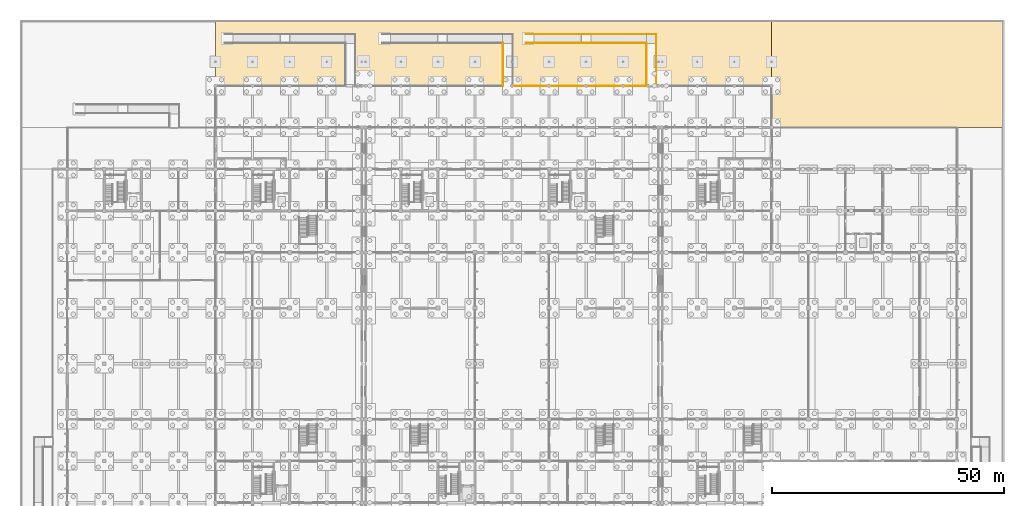
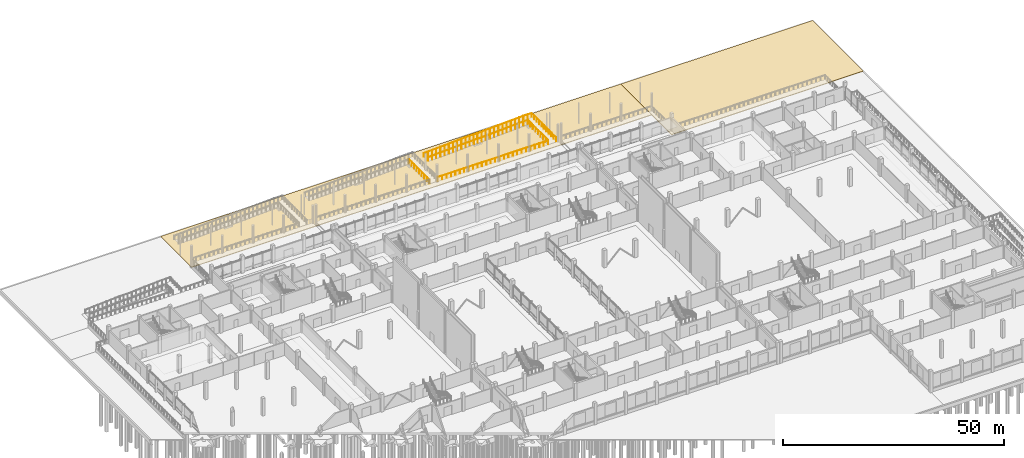
# One storey, part 71 of 72: 5 railings, 2 coverings.
"""IFC4 building model written with IfcOpenShell, lengths in metres."""

from ifc_helpers import new_model, si_unit, direction, frame, origin, origin_2d, place, context, subcontext, project, spatial, polyline, circle, outline, extrude, material, layer, layer_set, type_object, element, save


model = new_model("IFC4")

# Units and contexts
model_context = context("Model", 3, precision=1e-05, world=origin(), true_north=direction((0.0, 1.0)))
body_context = subcontext(model_context, "Body", "Model", "MODEL_VIEW")
ifc_project = project(units=[si_unit("LENGTHUNIT", "METRE"), si_unit("AREAUNIT", "SQUARE_METRE"), si_unit("VOLUMEUNIT", "CUBIC_METRE"), si_unit("PLANEANGLEUNIT", "RADIAN"), si_unit("MASSUNIT", "GRAM", prefix="KILO"), si_unit("THERMODYNAMICTEMPERATUREUNIT", "KELVIN"), si_unit("POWERUNIT", "WATT")], contexts=[model_context])

# Site, building, storey
site_placement = place(None, origin())
site = spatial("IfcSite", under=ifc_project, at=site_placement, CompositionType="ELEMENT")
building_placement = place(site_placement, origin())
building = spatial("IfcBuilding", under=site, at=building_placement, Name="Kronsvod Quay Wholesale Market", CompositionType="ELEMENT")
storey_placement = place(building_placement, origin())
storey = spatial("IfcBuildingStorey", under=building, at=storey_placement, Name="L00", CompositionType="ELEMENT", Elevation=0.0)

# Coverings
ifc_material_1 = material(Name="Natural granite harbour quay paving", Category="masonry")
ifc_layer = layer(ifc_material_1, 0.179931640625)
ifc_layer_set = layer_set([ifc_layer], Name="Natural granite harbour quay paving")
covering_type = type_object("IfcCoveringType", Name="Cov_SitePaving160", PredefinedType="USERDEFINED", material=ifc_layer_set)
covering_1_placement = place(storey_placement, frame((0.0, 0.0, -1.3798828125)))
element("IfcCovering", 1, at=covering_1_placement, inside=storey, type_object=covering_type, Name="PAV-APR-N2", ObjectType="PAVING", PredefinedType="USERDEFINED", context=body_context, shape_type="SweptSolid", body=[
    extrude(outline(polyline([(32.0, 126.0), (152.0, 126.0), (152.0, 140.0), (32.0, 140.0), (32.0, 126.0)])), origin(), (0.0, 0.0, 1.0), 0.179931640625),
])
covering_2_placement = place(storey_placement, frame((0.0, 0.0, -1.3798828125)))
element("IfcCovering", 2, at=covering_2_placement, inside=storey, type_object=covering_type, Name="PAV-APR-N3", ObjectType="PAVING", PredefinedType="USERDEFINED", context=body_context, shape_type="SweptSolid", body=[
    extrude(outline(polyline([(152.0, 117.0), (202.0, 117.0), (202.0, 140.0), (152.0, 140.0), (152.0, 117.0)])), origin(), (0.0, 0.0, 1.0), 0.179931640625),
])

# Railings
ifc_material_2 = material(Name="Stainless steel", Category="steel")
railing_type = type_object("IfcRailingType", Name="Railing_Guard1200", PredefinedType="GUARDRAIL", material=ifc_material_2)
railing_1_placement = place(storey_placement, frame((99.0, 137.14990234375, -1.199951171875)))
element("IfcRailing", 3, at=railing_1_placement, inside=storey, type_object=railing_type, Name="RMP-N03-GRD1", PredefinedType="GUARDRAIL", context=body_context, shape_type="SweptSolid", body=[
    extrude(circle(Radius=0.02392578125, at=origin_2d()), frame((0.0, 0.0, 1.17578125), z_axis=(0.998752946874, 0.0, 0.049925455535), x_axis=(0.0, 1.0, 0.0)), (0.0, 0.0, 1.0), 12.014892578125),
    extrude(circle(Radius=0.02392578125, at=origin_2d()), frame((12.0, 0.0, 1.77587890625), z_axis=(1.0, 0.0, 0.0), x_axis=(0.0, 1.0, 0.0)), (0.0, 0.0, 1.0), 2.0),
    extrude(circle(Radius=0.02392578125, at=origin_2d()), frame((14.0, 0.0, 1.77587890625), z_axis=(0.998751933465, 0.0, 0.049945724537), x_axis=(0.0, 1.0, 0.0)), (0.0, 0.0, 1.0), 12.014892578125),
    extrude(circle(Radius=0.02392578125, at=origin_2d()), frame((26.0, 0.0, 2.3759765625), z_axis=(1.0, 0.0, 0.0), x_axis=(0.0, 1.0, 0.0)), (0.0, 0.0, 1.0), 2.14990234375),
    extrude(circle(Radius=0.02392578125, at=origin_2d()), frame((28.14990234375, 0.0, 2.3759765625), z_axis=(0.0, -1.0, 0.0), x_axis=(1.0, 0.0, 0.0)), (0.0, 0.0, 1.0), 11.099853515625),
    extrude(circle(Radius=0.02099609375, at=origin_2d()), origin(), (0.0, 0.0, 1.0), 1.15185546875),
    extrude(circle(Radius=0.02099609375, at=origin_2d()), frame((1.0908203125, 0.0, 0.054443359375)), (0.0, 0.0, 1.0), 1.15185546875),
    extrude(circle(Radius=0.02099609375, at=origin_2d()), frame((2.181884765625, 0.0, 0.109130859375)), (0.0, 0.0, 1.0), 1.15185546875),
    extrude(circle(Radius=0.02099609375, at=origin_2d()), frame((3.272705078125, 0.0, 0.16357421875)), (0.0, 0.0, 1.0), 1.15185546875),
    extrude(circle(Radius=0.02099609375, at=origin_2d()), frame((4.363525390625, 0.0, 0.218017578125)), (0.0, 0.0, 1.0), 1.15185546875),
    extrude(circle(Radius=0.02099609375, at=origin_2d()), frame((5.45458984375, 0.0, 0.272705078125)), (0.0, 0.0, 1.0), 1.15185546875),
    extrude(circle(Radius=0.02099609375, at=origin_2d()), frame((6.54541015625, 0.0, 0.3271484375)), (0.0, 0.0, 1.0), 1.15185546875),
    extrude(circle(Radius=0.02099609375, at=origin_2d()), frame((7.636474609375, 0.0, 0.3818359375)), (0.0, 0.0, 1.0), 1.15185546875),
    extrude(circle(Radius=0.02099609375, at=origin_2d()), frame((8.727294921875, 0.0, 0.436279296875)), (0.0, 0.0, 1.0), 1.15185546875),
    extrude(circle(Radius=0.02099609375, at=origin_2d()), frame((9.818115234375, 0.0, 0.49072265625)), (0.0, 0.0, 1.0), 1.15185546875),
    extrude(circle(Radius=0.02099609375, at=origin_2d()), frame((10.9091796875, 0.0, 0.54541015625)), (0.0, 0.0, 1.0), 1.15185546875),
    extrude(circle(Radius=0.02099609375, at=origin_2d()), frame((12.0, 0.0, 0.599853515625)), (0.0, 0.0, 1.0), 1.15185546875),
    extrude(circle(Radius=0.02099609375, at=origin_2d()), frame((13.0, 0.0, 0.599853515625)), (0.0, 0.0, 1.0), 1.15185546875),
    extrude(circle(Radius=0.02099609375, at=origin_2d()), frame((14.0, 0.0, 0.599853515625)), (0.0, 0.0, 1.0), 1.15185546875),
    extrude(circle(Radius=0.02099609375, at=origin_2d()), frame((15.0908203125, 0.0, 0.654296875)), (0.0, 0.0, 1.0), 1.15185546875),
    extrude(circle(Radius=0.02099609375, at=origin_2d()), frame((16.181884765625, 0.0, 0.708984375)), (0.0, 0.0, 1.0), 1.15185546875),
    extrude(circle(Radius=0.02099609375, at=origin_2d()), frame((17.272705078125, 0.0, 0.763427734375)), (0.0, 0.0, 1.0), 1.15185546875),
    extrude(circle(Radius=0.02099609375, at=origin_2d()), frame((18.363525390625, 0.0, 0.818115234375)), (0.0, 0.0, 1.0), 1.15185546875),
    extrude(circle(Radius=0.02099609375, at=origin_2d()), frame((19.45458984375, 0.0, 0.87255859375)), (0.0, 0.0, 1.0), 1.15185546875),
    extrude(circle(Radius=0.02099609375, at=origin_2d()), frame((20.54541015625, 0.0, 0.92724609375)), (0.0, 0.0, 1.0), 1.15185546875),
    extrude(circle(Radius=0.02099609375, at=origin_2d()), frame((21.636474609375, 0.0, 0.981689453125)), (0.0, 0.0, 1.0), 1.15185546875),
    extrude(circle(Radius=0.02099609375, at=origin_2d()), frame((22.727294921875, 0.0, 1.036376953125)), (0.0, 0.0, 1.0), 1.15185546875),
    extrude(circle(Radius=0.02099609375, at=origin_2d()), frame((23.818115234375, 0.0, 1.0908203125)), (0.0, 0.0, 1.0), 1.15185546875),
    extrude(circle(Radius=0.02099609375, at=origin_2d()), frame((24.9091796875, 0.0, 1.1455078125)), (0.0, 0.0, 1.0), 1.15185546875),
    extrude(circle(Radius=0.02099609375, at=origin_2d()), frame((26.0, 0.0, 1.199951171875)), (0.0, 0.0, 1.0), 1.15185546875),
    extrude(circle(Radius=0.02099609375, at=origin_2d()), frame((27.074951171875, 0.0, 1.199951171875)), (0.0, 0.0, 1.0), 1.15185546875),
    extrude(circle(Radius=0.02099609375, at=origin_2d()), frame((28.14990234375, 0.0, 1.199951171875)), (0.0, 0.0, 1.0), 1.15185546875),
    extrude(circle(Radius=0.02099609375, at=origin_2d()), frame((28.14990234375, -1.10986328125, 1.199951171875)), (0.0, 0.0, 1.0), 1.15185546875),
    extrude(circle(Radius=0.02099609375, at=origin_2d()), frame((28.14990234375, -2.219970703125, 1.199951171875)), (0.0, 0.0, 1.0), 1.15185546875),
    extrude(circle(Radius=0.02099609375, at=origin_2d()), frame((28.14990234375, -3.330078125, 1.199951171875)), (0.0, 0.0, 1.0), 1.15185546875),
    extrude(circle(Radius=0.02099609375, at=origin_2d()), frame((28.14990234375, -4.43994140625, 1.199951171875)), (0.0, 0.0, 1.0), 1.15185546875),
    extrude(circle(Radius=0.02099609375, at=origin_2d()), frame((28.14990234375, -5.5498046875, 1.199951171875)), (0.0, 0.0, 1.0), 1.15185546875),
    extrude(circle(Radius=0.02099609375, at=origin_2d()), frame((28.14990234375, -6.659912109375, 1.199951171875)), (0.0, 0.0, 1.0), 1.15185546875),
    extrude(circle(Radius=0.02099609375, at=origin_2d()), frame((28.14990234375, -7.769775390625, 1.199951171875)), (0.0, 0.0, 1.0), 1.15185546875),
    extrude(circle(Radius=0.02099609375, at=origin_2d()), frame((28.14990234375, -8.8798828125, 1.199951171875)), (0.0, 0.0, 1.0), 1.15185546875),
    extrude(circle(Radius=0.02099609375, at=origin_2d()), frame((28.14990234375, -9.98974609375, 1.199951171875)), (0.0, 0.0, 1.0), 1.15185546875),
    extrude(circle(Radius=0.02099609375, at=origin_2d()), frame((28.14990234375, -11.099853515625, 1.199951171875)), (0.0, 0.0, 1.0), 1.15185546875),
])
railing_2_placement = place(storey_placement, frame((99.0, 135.25, -1.199951171875)))
element("IfcRailing", 4, at=railing_2_placement, inside=storey, type_object=railing_type, Name="RMP-N03-GRD2", PredefinedType="GUARDRAIL", context=body_context, shape_type="SweptSolid", body=[
    extrude(circle(Radius=0.02392578125, at=origin_2d()), frame((0.0, 0.0, 1.17578125), z_axis=(0.998752946874, 0.0, 0.049925455535), x_axis=(0.0, 1.0, 0.0)), (0.0, 0.0, 1.0), 12.014892578125),
    extrude(circle(Radius=0.02392578125, at=origin_2d()), frame((12.0, 0.0, 1.77587890625), z_axis=(1.0, 0.0, 0.0), x_axis=(0.0, 1.0, 0.0)), (0.0, 0.0, 1.0), 2.0),
    extrude(circle(Radius=0.02392578125, at=origin_2d()), frame((14.0, 0.0, 1.77587890625), z_axis=(0.998751933465, 0.0, 0.049945724537), x_axis=(0.0, 1.0, 0.0)), (0.0, 0.0, 1.0), 12.014892578125),
    extrude(circle(Radius=0.02099609375, at=origin_2d()), origin(), (0.0, 0.0, 1.0), 1.15185546875),
    extrude(circle(Radius=0.02099609375, at=origin_2d()), frame((1.0908203125, 0.0, 0.054443359375)), (0.0, 0.0, 1.0), 1.15185546875),
    extrude(circle(Radius=0.02099609375, at=origin_2d()), frame((2.181884765625, 0.0, 0.109130859375)), (0.0, 0.0, 1.0), 1.15185546875),
    extrude(circle(Radius=0.02099609375, at=origin_2d()), frame((3.272705078125, 0.0, 0.16357421875)), (0.0, 0.0, 1.0), 1.15185546875),
    extrude(circle(Radius=0.02099609375, at=origin_2d()), frame((4.363525390625, 0.0, 0.218017578125)), (0.0, 0.0, 1.0), 1.15185546875),
    extrude(circle(Radius=0.02099609375, at=origin_2d()), frame((5.45458984375, 0.0, 0.272705078125)), (0.0, 0.0, 1.0), 1.15185546875),
    extrude(circle(Radius=0.02099609375, at=origin_2d()), frame((6.54541015625, 0.0, 0.3271484375)), (0.0, 0.0, 1.0), 1.15185546875),
    extrude(circle(Radius=0.02099609375, at=origin_2d()), frame((7.636474609375, 0.0, 0.3818359375)), (0.0, 0.0, 1.0), 1.15185546875),
    extrude(circle(Radius=0.02099609375, at=origin_2d()), frame((8.727294921875, 0.0, 0.436279296875)), (0.0, 0.0, 1.0), 1.15185546875),
    extrude(circle(Radius=0.02099609375, at=origin_2d()), frame((9.818115234375, 0.0, 0.49072265625)), (0.0, 0.0, 1.0), 1.15185546875),
    extrude(circle(Radius=0.02099609375, at=origin_2d()), frame((10.9091796875, 0.0, 0.54541015625)), (0.0, 0.0, 1.0), 1.15185546875),
    extrude(circle(Radius=0.02099609375, at=origin_2d()), frame((12.0, 0.0, 0.599853515625)), (0.0, 0.0, 1.0), 1.15185546875),
    extrude(circle(Radius=0.02099609375, at=origin_2d()), frame((13.0, 0.0, 0.599853515625)), (0.0, 0.0, 1.0), 1.15185546875),
    extrude(circle(Radius=0.02099609375, at=origin_2d()), frame((14.0, 0.0, 0.599853515625)), (0.0, 0.0, 1.0), 1.15185546875),
    extrude(circle(Radius=0.02099609375, at=origin_2d()), frame((15.0908203125, 0.0, 0.654296875)), (0.0, 0.0, 1.0), 1.15185546875),
    extrude(circle(Radius=0.02099609375, at=origin_2d()), frame((16.181884765625, 0.0, 0.708984375)), (0.0, 0.0, 1.0), 1.15185546875),
    extrude(circle(Radius=0.02099609375, at=origin_2d()), frame((17.272705078125, 0.0, 0.763427734375)), (0.0, 0.0, 1.0), 1.15185546875),
    extrude(circle(Radius=0.02099609375, at=origin_2d()), frame((18.363525390625, 0.0, 0.818115234375)), (0.0, 0.0, 1.0), 1.15185546875),
    extrude(circle(Radius=0.02099609375, at=origin_2d()), frame((19.45458984375, 0.0, 0.87255859375)), (0.0, 0.0, 1.0), 1.15185546875),
    extrude(circle(Radius=0.02099609375, at=origin_2d()), frame((20.54541015625, 0.0, 0.92724609375)), (0.0, 0.0, 1.0), 1.15185546875),
    extrude(circle(Radius=0.02099609375, at=origin_2d()), frame((21.636474609375, 0.0, 0.981689453125)), (0.0, 0.0, 1.0), 1.15185546875),
    extrude(circle(Radius=0.02099609375, at=origin_2d()), frame((22.727294921875, 0.0, 1.036376953125)), (0.0, 0.0, 1.0), 1.15185546875),
    extrude(circle(Radius=0.02099609375, at=origin_2d()), frame((23.818115234375, 0.0, 1.0908203125)), (0.0, 0.0, 1.0), 1.15185546875),
    extrude(circle(Radius=0.02099609375, at=origin_2d()), frame((24.9091796875, 0.0, 1.1455078125)), (0.0, 0.0, 1.0), 1.15185546875),
    extrude(circle(Radius=0.02099609375, at=origin_2d()), frame((26.0, 0.0, 1.199951171875)), (0.0, 0.0, 1.0), 1.15185546875),
])
railing_3_placement = place(storey_placement, frame((96.199951171875, 125.949951171875, 0.0)))
element("IfcRailing", 5, at=railing_3_placement, inside=storey, type_object=railing_type, Name="GRD-L00-N3", PredefinedType="GUARDRAIL", context=body_context, shape_type="SweptSolid", body=[
    extrude(circle(Radius=0.02392578125, at=origin_2d()), frame((0.0, 0.0, 1.17578125), z_axis=(1.0, 0.0, 0.0), x_axis=(0.0, 1.0, 0.0)), (0.0, 0.0, 1.0), 28.800048828125),
    extrude(circle(Radius=0.02099609375, at=origin_2d()), origin(), (0.0, 0.0, 1.0), 1.15185546875),
    extrude(circle(Radius=0.02099609375, at=origin_2d()), frame((1.152099609375, 0.0, 0.0)), (0.0, 0.0, 1.0), 1.15185546875),
    extrude(circle(Radius=0.02099609375, at=origin_2d()), frame((2.303955078125, 0.0, 0.0)), (0.0, 0.0, 1.0), 1.15185546875),
    extrude(circle(Radius=0.02099609375, at=origin_2d()), frame((3.4560546875, 0.0, 0.0)), (0.0, 0.0, 1.0), 1.15185546875),
    extrude(circle(Radius=0.02099609375, at=origin_2d()), frame((4.60791015625, 0.0, 0.0)), (0.0, 0.0, 1.0), 1.15185546875),
    extrude(circle(Radius=0.02099609375, at=origin_2d()), frame((5.760009765625, 0.0, 0.0)), (0.0, 0.0, 1.0), 1.15185546875),
    extrude(circle(Radius=0.02099609375, at=origin_2d()), frame((6.912109375, 0.0, 0.0)), (0.0, 0.0, 1.0), 1.15185546875),
    extrude(circle(Radius=0.02099609375, at=origin_2d()), frame((8.06396484375, 0.0, 0.0)), (0.0, 0.0, 1.0), 1.15185546875),
    extrude(circle(Radius=0.02099609375, at=origin_2d()), frame((9.216064453125, 0.0, 0.0)), (0.0, 0.0, 1.0), 1.15185546875),
    extrude(circle(Radius=0.02099609375, at=origin_2d()), frame((10.367919921875, 0.0, 0.0)), (0.0, 0.0, 1.0), 1.15185546875),
    extrude(circle(Radius=0.02099609375, at=origin_2d()), frame((11.52001953125, 0.0, 0.0)), (0.0, 0.0, 1.0), 1.15185546875),
    extrude(circle(Radius=0.02099609375, at=origin_2d()), frame((12.672119140625, 0.0, 0.0)), (0.0, 0.0, 1.0), 1.15185546875),
    extrude(circle(Radius=0.02099609375, at=origin_2d()), frame((13.823974609375, 0.0, 0.0)), (0.0, 0.0, 1.0), 1.15185546875),
    extrude(circle(Radius=0.02099609375, at=origin_2d()), frame((14.97607421875, 0.0, 0.0)), (0.0, 0.0, 1.0), 1.15185546875),
    extrude(circle(Radius=0.02099609375, at=origin_2d()), frame((16.1279296875, 0.0, 0.0)), (0.0, 0.0, 1.0), 1.15185546875),
    extrude(circle(Radius=0.02099609375, at=origin_2d()), frame((17.280029296875, 0.0, 0.0)), (0.0, 0.0, 1.0), 1.15185546875),
    extrude(circle(Radius=0.02099609375, at=origin_2d()), frame((18.43212890625, 0.0, 0.0)), (0.0, 0.0, 1.0), 1.15185546875),
    extrude(circle(Radius=0.02099609375, at=origin_2d()), frame((19.583984375, 0.0, 0.0)), (0.0, 0.0, 1.0), 1.15185546875),
    extrude(circle(Radius=0.02099609375, at=origin_2d()), frame((20.736083984375, 0.0, 0.0)), (0.0, 0.0, 1.0), 1.15185546875),
    extrude(circle(Radius=0.02099609375, at=origin_2d()), frame((21.887939453125, 0.0, 0.0)), (0.0, 0.0, 1.0), 1.15185546875),
    extrude(circle(Radius=0.02099609375, at=origin_2d()), frame((23.0400390625, 0.0, 0.0)), (0.0, 0.0, 1.0), 1.15185546875),
    extrude(circle(Radius=0.02099609375, at=origin_2d()), frame((24.192138671875, 0.0, 0.0)), (0.0, 0.0, 1.0), 1.15185546875),
    extrude(circle(Radius=0.02099609375, at=origin_2d()), frame((25.343994140625, 0.0, 0.0)), (0.0, 0.0, 1.0), 1.15185546875),
    extrude(circle(Radius=0.02099609375, at=origin_2d()), frame((26.49609375, 0.0, 0.0)), (0.0, 0.0, 1.0), 1.15185546875),
    extrude(circle(Radius=0.02099609375, at=origin_2d()), frame((27.64794921875, 0.0, 0.0)), (0.0, 0.0, 1.0), 1.15185546875),
    extrude(circle(Radius=0.02099609375, at=origin_2d()), frame((28.800048828125, 0.0, 0.0)), (0.0, 0.0, 1.0), 1.15185546875),
])
for number, where, name in (
    (6, (94.050048828125, 126.0, 0.0), "GRD-RMP-N02W"),
    (7, (125.050048828125, 126.0, 0.0), "GRD-RMP-N03W"),
):
    element("IfcRailing", number, at=place(storey_placement, frame(where)), inside=storey, type_object=railing_type, Name=name, PredefinedType="GUARDRAIL", context=body_context, shape_type="SweptSolid", body=[
        extrude(circle(Radius=0.02392578125, at=origin_2d()), frame((0.0, 0.0, 1.17578125), z_axis=(0.0, 1.0, 0.0), x_axis=(-1.0, 0.0, 0.0)), (0.0, 0.0, 1.0), 9.25),
        extrude(circle(Radius=0.02099609375, at=origin_2d()), origin(), (0.0, 0.0, 1.0), 1.15185546875),
        extrude(circle(Radius=0.02099609375, at=origin_2d()), frame((0.0, 1.15625, 0.0)), (0.0, 0.0, 1.0), 1.15185546875),
        extrude(circle(Radius=0.02099609375, at=origin_2d()), frame((0.0, 2.3125, 0.0)), (0.0, 0.0, 1.0), 1.15185546875),
        extrude(circle(Radius=0.02099609375, at=origin_2d()), frame((0.0, 3.46875, 0.0)), (0.0, 0.0, 1.0), 1.15185546875),
        extrude(circle(Radius=0.02099609375, at=origin_2d()), frame((0.0, 4.625, 0.0)), (0.0, 0.0, 1.0), 1.15185546875),
        extrude(circle(Radius=0.02099609375, at=origin_2d()), frame((0.0, 5.78125, 0.0)), (0.0, 0.0, 1.0), 1.15185546875),
        extrude(circle(Radius=0.02099609375, at=origin_2d()), frame((0.0, 6.9375, 0.0)), (0.0, 0.0, 1.0), 1.15185546875),
        extrude(circle(Radius=0.02099609375, at=origin_2d()), frame((0.0, 8.09375, 0.0)), (0.0, 0.0, 1.0), 1.15185546875),
        extrude(circle(Radius=0.02099609375, at=origin_2d()), frame((0.0, 9.25, 0.0)), (0.0, 0.0, 1.0), 1.15185546875),
    ])

save(model, "model.ifc")
